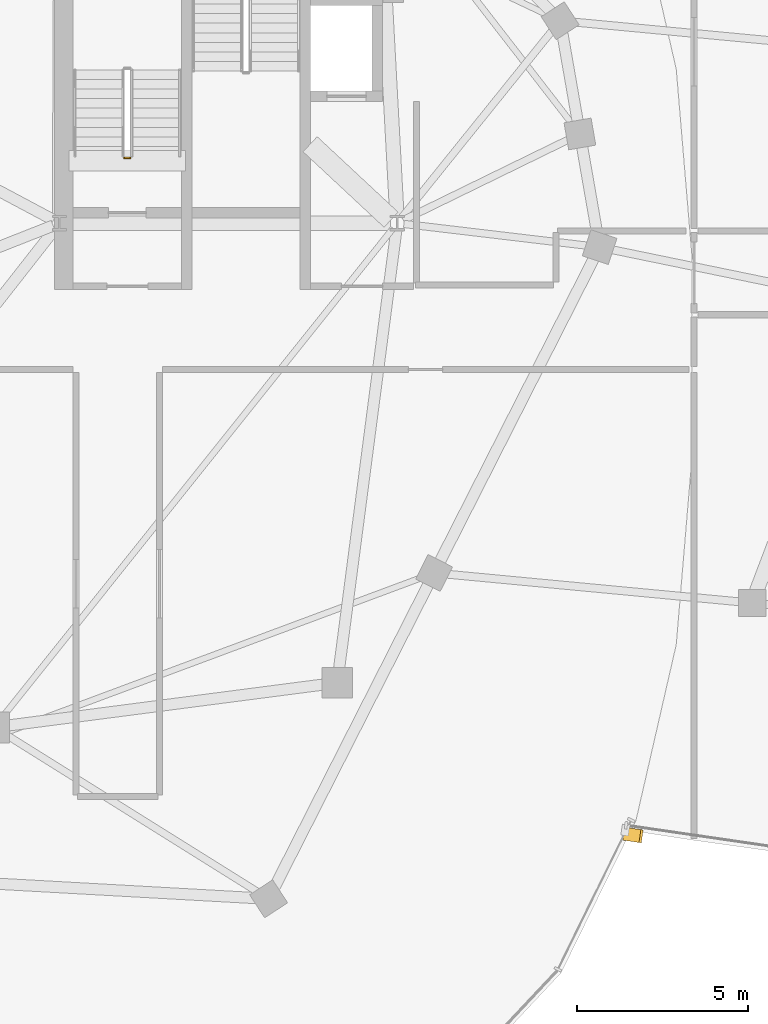
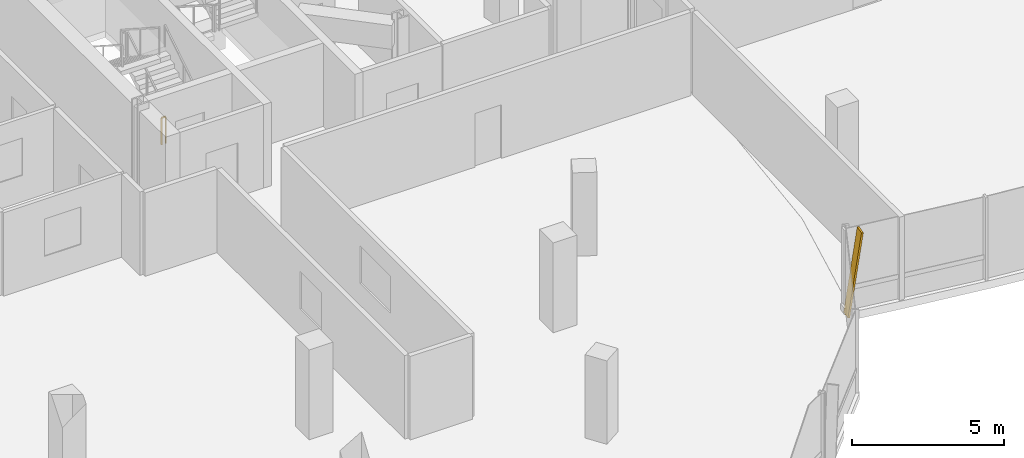
# One storey, part 21 of 25: 1 railing, 1 shading device.
"""IFC4 building model written with IfcOpenShell, lengths in metres."""

import ifcopenshell
import ifcopenshell.guid

model = None  # the IFC model being written
_history = None  # IfcOwnerHistory: only IFC2X3 demands one
_inside = {}  # id of a spatial element -> (the spatial element, [elements in it])
_under = {}  # id of a project, library or spatial element -> (it, [spatial elements below it])
_declared = {}  # id of a project -> (the project, [libraries it declares])
_typed = {}  # id of a type object -> (the type object, [elements of that type])
_made_of = {}  # id of a material, layer set ... -> (it, [elements and type objects made of it])


def new_model(schema):
    """Start an empty IFC model of exactly this schema.

    Asked for "IFC4X3", IfcOpenShell would pick the latest addendum, in which some entities
    have other attributes; the version numbers below select the first issue.
    IFC2X3 requires an IfcOwnerHistory on every rooted entity: one is made here for all.
    """
    global model, _history
    if schema == "IFC4X3":
        model = ifcopenshell.file(schema_version=(4, 3, 0, 0))
    else:
        model = ifcopenshell.file(schema=schema)
    _inside.clear()
    _under.clear()
    _declared.clear()
    _typed.clear()
    _made_of.clear()
    _history = None
    if model.schema == "IFC2X3":
        org = make("IfcOrganization", Name="unknown")
        user = make(
            "IfcPersonAndOrganization",
            ThePerson=make("IfcPerson", FamilyName="unknown"),
            TheOrganization=org,
        )
        app = make(
            "IfcApplication",
            ApplicationDeveloper=org,
            Version="unknown",
            ApplicationFullName="unknown",
            ApplicationIdentifier="unknown",
        )
        _history = make(
            "IfcOwnerHistory",
            OwningUser=user,
            OwningApplication=app,
            ChangeAction="ADDED",
            CreationDate=0,
        )
    return model


def make(cls, **values):
    """One entity of the class cls with the attributes given. An attribute that is None is left unset."""
    return model.create_entity(
        cls, **{name: value for name, value in values.items() if value is not None}
    )


def rooted(cls, **values):
    """An entity with a GlobalId (a new one), such as an element, a storey or a relation."""
    return make(cls, GlobalId=ifcopenshell.guid.new(), OwnerHistory=_history, **values)


def si_unit(unit_type, name, prefix=None):
    """IfcSIUnit, for example si_unit("LENGTHUNIT", "METRE", prefix="MILLI")."""
    return make("IfcSIUnit", UnitType=unit_type, Prefix=prefix, Name=name)


def assignment(units):
    """IfcUnitAssignment: the units of a project."""
    return None if units is None else make("IfcUnitAssignment", Units=units)


def point(xyz):
    """IfcCartesianPoint."""
    return None if xyz is None else make("IfcCartesianPoint", Coordinates=xyz)


def direction(xyz):
    """IfcDirection."""
    return None if xyz is None else make("IfcDirection", DirectionRatios=xyz)


def frame(location, z_axis=None, x_axis=None):
    """IfcAxis2Placement3D, a coordinate frame: its origin and axes. An axis left out is left unset."""
    return make(
        "IfcAxis2Placement3D",
        Location=point(location),
        Axis=direction(z_axis),
        RefDirection=direction(x_axis),
    )


def frame_2d(location, x_axis=None):
    """IfcAxis2Placement2D, a coordinate frame in the plane: its origin and x axis."""
    return make(
        "IfcAxis2Placement2D", Location=point(location), RefDirection=direction(x_axis)
    )


def origin():
    """The frame at (0, 0, 0) with its axes left unset."""
    return frame((0.0, 0.0, 0.0))


def origin_2d():
    """The frame at (0, 0) in the plane with its x axis left unset."""
    return frame_2d((0.0, 0.0))


def place(relative_to, where):
    """IfcLocalPlacement: puts the frame where relative to a parent placement (None: the world)."""
    return make(
        "IfcLocalPlacement", PlacementRelTo=relative_to, RelativePlacement=where
    )


def context(
    kind, dimensions, precision=None, world=None, true_north=None, identifier=None
):
    """IfcGeometricRepresentationContext, for example the 3D "Model" context."""
    return make(
        "IfcGeometricRepresentationContext",
        ContextIdentifier=identifier,
        ContextType=kind,
        CoordinateSpaceDimension=dimensions,
        Precision=precision,
        WorldCoordinateSystem=world,
        TrueNorth=true_north,
    )


def subcontext(parent, identifier, kind, view, scale=None):
    """IfcGeometricRepresentationSubContext, for example "Body" below "Model"."""
    return make(
        "IfcGeometricRepresentationSubContext",
        ContextIdentifier=identifier,
        ContextType=kind,
        ParentContext=parent,
        TargetScale=scale,
        TargetView=view,
    )


def project(units=None, contexts=None):
    """IfcProject with its units and contexts."""
    return rooted(
        "IfcProject",
        Name="project",
        RepresentationContexts=contexts,
        UnitsInContext=assignment(units),
    )


def spatial(cls, under=None, at=None, **own):
    """A site, building, storey or space (cls), placed at a placement, below another one or the project."""
    s = rooted(cls, ObjectPlacement=at, **own)
    if under is not None:
        _under.setdefault(under.id(), (under, []))[1].append(s)
    return s


def profile(cls, at=None, kind="AREA", **sizes):
    """A parametric profile (cls). Its sizes go by their IFC names, for example OverallWidth=200.0."""
    return make(cls, ProfileType=kind, Position=at, **sizes)


def rectangle(**sizes):
    """IfcRectangleProfileDef."""
    return profile("IfcRectangleProfileDef", **sizes)


def extrude(swept, where, along, depth):
    """IfcExtrudedAreaSolid: the profile swept, set in the frame where, extruded along a direction by depth."""
    return make(
        "IfcExtrudedAreaSolid",
        SweptArea=swept,
        Position=where,
        ExtrudedDirection=direction(along),
        Depth=depth,
    )


def shape(context_of_items, identifier, shape_type, items):
    """IfcShapeRepresentation: the items that make up one representation, for example the "Body"."""
    return make(
        "IfcShapeRepresentation",
        ContextOfItems=context_of_items,
        RepresentationIdentifier=identifier,
        RepresentationType=shape_type,
        Items=items,
    )


def material(Name=None, Category=None):
    """IfcMaterial."""
    return make("IfcMaterial", Name=Name, Category=Category)


def material_profile(
    of_material, cross_section, Name=None, Category=None, Priority=None
):
    """IfcMaterialProfile: a cross section and its material."""
    return make(
        "IfcMaterialProfile",
        Name=Name,
        Material=of_material,
        Profile=cross_section,
        Priority=Priority,
        Category=Category,
    )


def profile_set(profiles, Name=None, composite=None):
    """IfcMaterialProfileSet."""
    return make(
        "IfcMaterialProfileSet",
        Name=Name,
        MaterialProfiles=profiles,
        CompositeProfile=composite,
    )


def made_of(thing, what):
    """Note that an element or type object is made of a material, layer set ...; save() writes the relation."""
    if what is not None:
        _made_of.setdefault(what.id(), (what, []))[1].append(thing)
    return thing


def type_object(cls, material=None, **own):
    """A type object (cls), such as IfcWallType, which elements share."""
    return made_of(rooted(cls, **own), material)


def element(
    cls,
    number,
    at=None,
    inside=None,
    cuts=None,
    type_object=None,
    material=None,
    context=None,
    identifier="Body",
    shape_type=None,
    held_by="IfcProductDefinitionShape",
    body=None,
    shapes=None,
    **own,
):
    """One element of the class cls, such as IfcWall. Its Tag is "e" and its number.

    at: its placement. inside: the storey or other place that contains it. cuts: it is an
    opening in that element (IfcRelVoidsElement). A single representation is given by context,
    identifier, shape_type and body (its items); several are given by shapes. held_by: the class
    of the entity that holds the representations. save() writes the other relations.
    """
    e = rooted(cls, Tag="e%d" % number, ObjectPlacement=at, **own)
    if body is not None:
        shapes = [shape(context, identifier, shape_type, body)]
    if shapes is not None:
        e.Representation = make(held_by, Representations=shapes)
    if inside is not None:
        _inside.setdefault(inside.id(), (inside, []))[1].append(e)
    if cuts is not None:
        rooted(
            "IfcRelVoidsElement", RelatingBuildingElement=cuts, RelatedOpeningElement=e
        )
    if type_object is not None:
        _typed.setdefault(type_object.id(), (type_object, []))[1].append(e)
    return made_of(e, material)


def aggregate(whole, parts):
    """IfcRelAggregates: a whole, such as a stair, and the parts it consists of."""
    return rooted("IfcRelAggregates", RelatingObject=whole, RelatedObjects=parts)


def save(model, path):
    """Write the relations noted so far, then the file.

    IfcRelAggregates (storeys below a building ...), IfcRelContainedInSpatialStructure (elements
    in a storey), IfcRelDefinesByType, IfcRelAssociatesMaterial and IfcRelDeclares: one each for
    every whole, place, type object, material and project.
    """
    for whole, parts in _under.values():
        aggregate(whole, parts)
    for where, things in _inside.values():
        rooted(
            "IfcRelContainedInSpatialStructure",
            RelatedElements=things,
            RelatingStructure=where,
        )
    for kind, things in _typed.values():
        rooted("IfcRelDefinesByType", RelatedObjects=things, RelatingType=kind)
    for what, things in _made_of.values():
        rooted("IfcRelAssociatesMaterial", RelatedObjects=things, RelatingMaterial=what)
    for by, libraries in _declared.values():
        rooted("IfcRelDeclares", RelatingContext=by, RelatedDefinitions=libraries)
    model.write(path)


model = new_model("IFC4")

# Units and contexts
model_context = context("Model", 3, precision=1e-05, world=origin(), true_north=direction((0.0, 1.0)))
body_context = subcontext(model_context, "Body", "Model", "MODEL_VIEW")
ifc_project = project(units=[si_unit("LENGTHUNIT", "METRE"), si_unit("AREAUNIT", "SQUARE_METRE"), si_unit("VOLUMEUNIT", "CUBIC_METRE"), si_unit("PLANEANGLEUNIT", "RADIAN"), si_unit("MASSUNIT", "GRAM", prefix="KILO"), si_unit("THERMODYNAMICTEMPERATUREUNIT", "KELVIN"), si_unit("POWERUNIT", "WATT")], contexts=[model_context])

# Site, building, storey
site_placement = place(None, origin())
site = spatial("IfcSite", under=ifc_project, at=site_placement, CompositionType="ELEMENT")
building_placement = place(site_placement, origin())
building = spatial("IfcBuilding", under=site, at=building_placement, Name="Cundina Bronze Exchange", CompositionType="ELEMENT")
storey_placement = place(building_placement, frame((0.0, 0.0, 272.0)))
storey = spatial("IfcBuildingStorey", under=building, at=storey_placement, Name="L72", CompositionType="ELEMENT", Elevation=272.0)

# Railing
ifc_material_1 = material(Name="Steel ASTM A36 Painted", Category="steel")
railing_type = type_object("IfcRailingType", Name="RLG-STG-1100", PredefinedType="GUARDRAIL", material=ifc_material_1)
railing_placement = place(storey_placement, frame((-29.239990234375, 5.800048828125, 0.0)))
element("IfcRailing", 1, at=railing_placement, inside=storey, type_object=railing_type, Name="L72 ST-W1 stair guard 4", PredefinedType="GUARDRAIL", context=body_context, shape_type="SweptSolid", body=[
    extrude(rectangle(XDim=0.048095703125, YDim=0.048095703125, at=origin_2d()), frame((0.0, 0.0, 1.076171875), z_axis=(-1.0, 0.0, 0.0), x_axis=(0.0, -1.0, 0.0)), (0.0, 0.0, 1.0), 0.159912109375),
    extrude(rectangle(XDim=0.0419921875, YDim=0.0419921875, at=origin_2d()), origin(), (0.0, 0.0, 1.0), 1.052001953125),
    extrude(rectangle(XDim=0.0419921875, YDim=0.0419921875, at=origin_2d()), frame((-0.159912109375, 0.0, 0.0)), (0.0, 0.0, 1.0), 1.052001953125),
])

# Shading device
ifc_material_2 = material(Name="Anodised Bronze Aluminium 6063-T6", Category="aluminium")
ifc_material_profile = material_profile(ifc_material_2, rectangle(XDim=0.070068359375, YDim=0.3798828125, at=origin_2d()), Name="FIN70X380", Category="aluminium")
ifc_profile_set = profile_set([ifc_material_profile], Name="Anodised Bronze Aluminium 6063-T6")
shading_device_type = type_object("IfcShadingDeviceType", Name="SHD-FIN-BRZ380", PredefinedType="USERDEFINED", material=ifc_profile_set)
shading_device_placement = place(storey_placement, frame((-14.8154296875, -13.90625, 0.02001953125), z_axis=(0.142891312926, -0.020853614014, 0.989518670603), x_axis=(-0.97914638597, 0.142897005969, 0.144404987889)))
element("IfcShadingDevice", 2, at=shading_device_placement, inside=storey, type_object=shading_device_type, Name="L72 Diagonal Bronze Solar Fin 1", ObjectType="FIN", PredefinedType="USERDEFINED", context=body_context, shape_type="SweptSolid", body=[
    extrude(rectangle(XDim=0.070068359375, YDim=0.3798828125, at=origin_2d()), origin(), (0.0, 0.0, 1.0), 3.324951171875),
])

save(model, "model.ifc")
